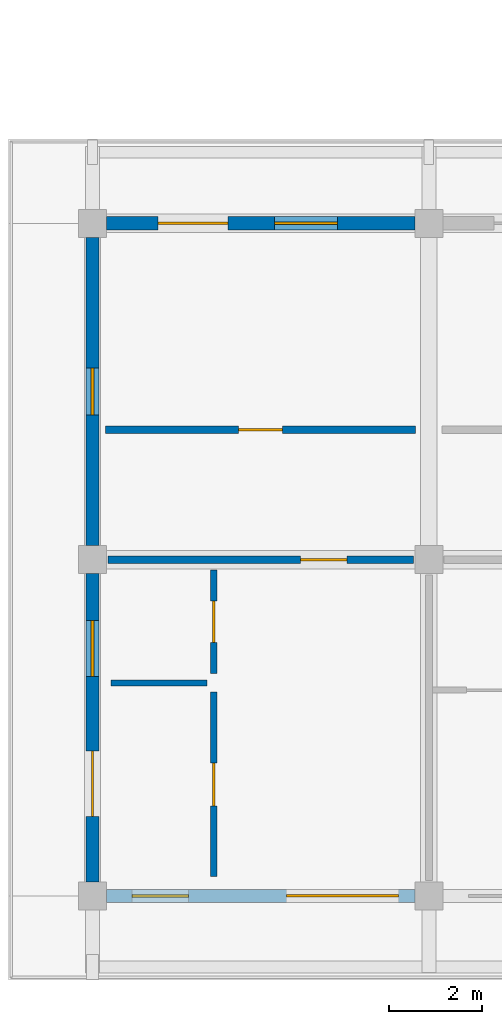
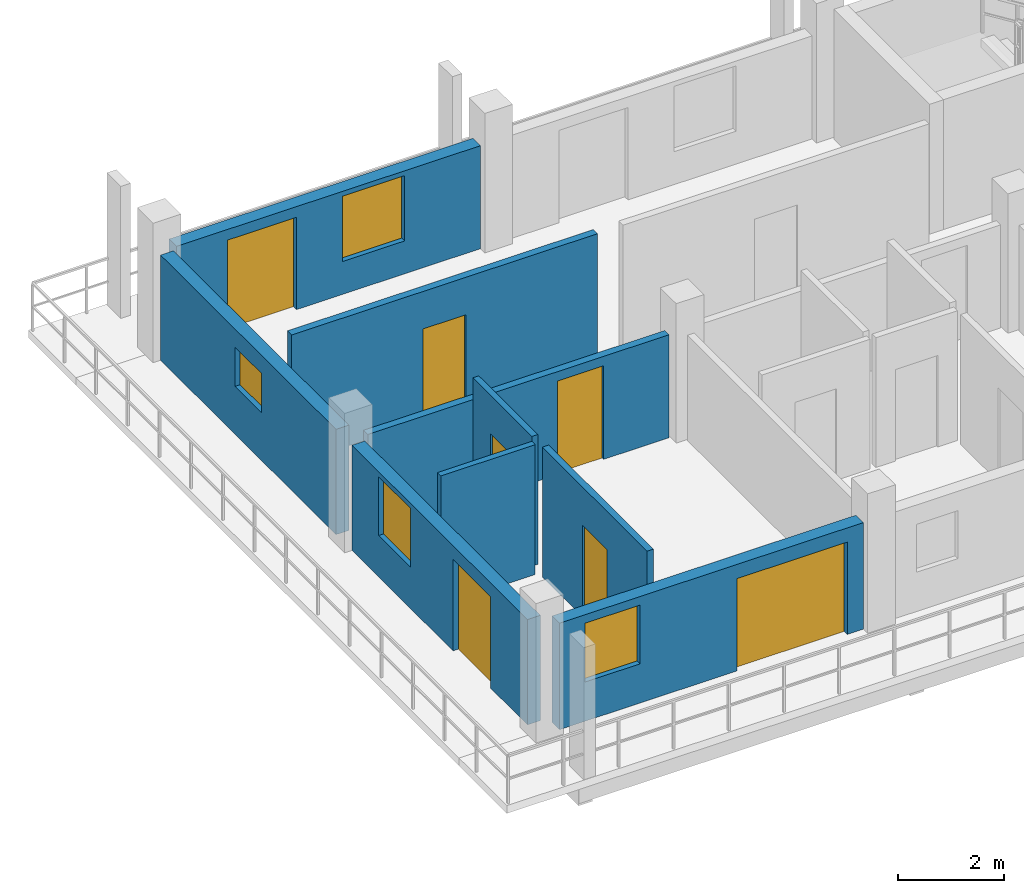
# One storey, part 43 of 76: 9 walls, 7 doors, 4 windows, 11 openings.
"""IFC4 building model written with IfcOpenShell, lengths in metres."""

from ifc_helpers import new_model, si_unit, direction, frame, frame_2d, origin, place, context, subcontext, project, spatial, rectangle, extrude, material, layer, layer_set, type_object, element, fill, save


model = new_model("IFC4")

# Units and contexts
model_context = context("Model", 3, precision=1e-05, world=origin(), true_north=direction((0.0, 1.0)))
body_context = subcontext(model_context, "Body", "Model", "MODEL_VIEW")
ifc_project = project(units=[si_unit("LENGTHUNIT", "METRE"), si_unit("AREAUNIT", "SQUARE_METRE"), si_unit("VOLUMEUNIT", "CUBIC_METRE"), si_unit("PLANEANGLEUNIT", "RADIAN"), si_unit("MASSUNIT", "GRAM", prefix="KILO")], contexts=[model_context])

# Site, building, storey
site_placement = place(None, origin())
site = spatial("IfcSite", under=ifc_project, at=site_placement, CompositionType="ELEMENT")
building_placement = place(site_placement, origin())
building = spatial("IfcBuilding", under=site, at=building_placement, Name="Suanplinth Sawtooth Commons", CompositionType="ELEMENT")
storey_placement = place(building_placement, frame((0.0, 0.0, 12.199951171875)))
storey = spatial("IfcBuildingStorey", under=building, at=storey_placement, Name="L03", CompositionType="ELEMENT", Elevation=12.199951171875)

# Wall, openings, door, window
ifc_material_1 = material(Name="Precast concrete C40/50", Category="concrete")
ifc_layer_1 = layer(ifc_material_1, 0.280029296875, Name="Insulated precast architectural facade wall 280mm")
ifc_layer_set_1 = layer_set([ifc_layer_1], Name="Precast concrete C40/50")
wall_type_1 = type_object("IfcWallType", Name="W-EX01", PredefinedType="ELEMENTEDWALL", material=ifc_layer_set_1)
wall_1_placement = place(storey_placement, frame((122.699951171875, 0.0, 0.0), z_axis=(0.0, 0.0, 1.0), x_axis=(1.0, 0.0, 0.0)))
wall_1 = element("IfcWall", 1, at=wall_1_placement, inside=storey, type_object=wall_type_1, Name="Facade Wall W-L03-C-S-17-0", PredefinedType="ELEMENTEDWALL", context=body_context, shape_type="SweptSolid", body=[
    extrude(rectangle(XDim=6.60009765625, YDim=0.280029296875, at=frame_2d((3.300048828125, 0.0))), origin(), (0.0, 0.0, 1.0), 2.445068359375),
])
opening_1_placement = place(wall_1_placement, frame((3.85009765625, 0.0, 0.0)))
opening_1 = element("IfcOpeningElement", 2, at=opening_1_placement, cuts=wall_1, Name="Opening ED0267", PredefinedType="OPENING", context=body_context, shape_type="SweptSolid", body=[
    extrude(rectangle(XDim=2.39990234375, YDim=2.1201171875, at=frame_2d((1.199951171875, 1.06005859375))), frame((0.0, 0.15478515625, 0.0), z_axis=(0.0, -1.0, 0.0), x_axis=(1.0, 0.0, 0.0)), (0.0, 0.0, 1.0), 0.309814453125),
])
opening_2_placement = place(wall_1_placement, frame((0.550048828125, 0.0, 0.89990234375)))
opening_2 = element("IfcOpeningElement", 3, at=opening_2_placement, cuts=wall_1, Name="Opening W0372", PredefinedType="OPENING", context=body_context, shape_type="SweptSolid", body=[
    extrude(rectangle(XDim=1.199951171875, YDim=1.35009765625, at=frame_2d((0.60009765625, 0.675048828125))), frame((0.0, 0.15478515625, 0.0), z_axis=(0.0, -1.0, 0.0), x_axis=(1.0, 0.0, 0.0)), (0.0, 0.0, 1.0), 0.309814453125),
])
ifc_material_2 = material(Name="Anodized aluminium and low-E glass", Category="aluminium")
door_type_1 = type_object("IfcDoorType", Name="SD-04", OperationType="DOUBLE_DOOR_SLIDING", PredefinedType="DOOR", material=ifc_material_2)
door_1_placement = place(opening_1_placement, frame((2.39990234375, 0.0, 0.0), z_axis=(0.0, 0.0, 1.0), x_axis=(-1.0, 0.0, 0.0)))
door_1 = element("IfcDoor", 4, at=door_1_placement, inside=storey, type_object=door_type_1, Name="Balcony Sliding Door L03-C-17", OperationType="DOUBLE_DOOR_SLIDING", OverallHeight=2.1201171875, OverallWidth=2.39990234375, PredefinedType="DOOR", context=body_context, shape_type="SweptSolid", body=[
    extrude(rectangle(XDim=2.39990234375, YDim=2.1201171875, at=frame_2d((1.199951171875, 1.06005859375))), frame((0.0, 0.02490234375, 0.0), z_axis=(0.0, -1.0, 0.0), x_axis=(1.0, 0.0, 0.0)), (0.0, 0.0, 1.0), 0.050048828125),
])
fill(opening_1, door_1)
ifc_material_3 = material(Name="Thermally broken aluminium and low-E double glazing", Category="aluminium")
window_type_1 = type_object("IfcWindowType", Name="WN-03", PartitioningType="SINGLE_PANEL", PredefinedType="WINDOW", material=ifc_material_3)
window_1_placement = place(opening_2_placement, origin())
window_1 = element("IfcWindow", 5, at=window_1_placement, inside=storey, type_object=window_type_1, Name="Apartment Window L03-C-17", OverallHeight=1.35009765625, OverallWidth=1.199951171875, PartitioningType="SINGLE_PANEL", PredefinedType="WINDOW", context=body_context, shape_type="SweptSolid", body=[
    extrude(rectangle(XDim=1.199951171875, YDim=1.35009765625, at=frame_2d((0.60009765625, 0.675048828125))), frame((0.0, 0.030029296875, 0.0), z_axis=(0.0, -1.0, 0.0), x_axis=(1.0, 0.0, 0.0)), (0.0, 0.0, 1.0), 0.06005859375),
])
fill(opening_2, window_1)

wall_2_placement = place(storey_placement, frame((122.39990234375, 0.300048828125, 0.0), z_axis=(0.0, 0.0, 1.0), x_axis=(0.0, 1.0, 0.0)))
wall_2 = element("IfcWall", 6, at=wall_2_placement, inside=storey, type_object=wall_type_1, Name="Facade Wall W-L03-C-W-17-0", PredefinedType="ELEMENTEDWALL", context=body_context, shape_type="SweptSolid", body=[
    extrude(rectangle(XDim=6.599853515625, YDim=0.280029296875, at=frame_2d((3.2998046875, 0.0))), origin(), (0.0, 0.0, 1.0), 2.4150390625),
])
opening_3_placement = place(wall_2_placement, frame((1.39990234375, 0.0, 0.0)))
opening_3 = element("IfcOpeningElement", 7, at=opening_3_placement, cuts=wall_2, Name="Opening ED0268", PredefinedType="OPENING", context=body_context, shape_type="SweptSolid", body=[
    extrude(rectangle(XDim=1.39990234375, YDim=2.10009765625, at=frame_2d((0.699951171875, 1.050048828125))), frame((0.0, 0.15478515625, 0.0), z_axis=(0.0, -1.0, 0.0), x_axis=(1.0, 0.0, 0.0)), (0.0, 0.0, 1.0), 0.309814453125),
])
opening_4_placement = place(wall_2_placement, frame((4.39990234375, 0.0, 0.949951171875)))
opening_4 = element("IfcOpeningElement", 8, at=opening_4_placement, cuts=wall_2, Name="Opening W0373", PredefinedType="OPENING", context=body_context, shape_type="SweptSolid", body=[
    extrude(rectangle(XDim=1.199951171875, YDim=1.35009765625, at=frame_2d((0.60009765625, 0.675048828125))), frame((0.0, 0.15478515625, 0.0), z_axis=(0.0, -1.0, 0.0), x_axis=(1.0, 0.0, 0.0)), (0.0, 0.0, 1.0), 0.309814453125),
])
door_type_2 = type_object("IfcDoorType", Name="SD-07", OperationType="SLIDING_TO_RIGHT", PredefinedType="DOOR", material=ifc_material_2)
door_2_placement = place(opening_3_placement, frame((1.39990234375, 0.0, 0.0), z_axis=(0.0, 0.0, 1.0), x_axis=(-1.0, 0.0, 0.0)))
door_2 = element("IfcDoor", 9, at=door_2_placement, inside=storey, type_object=door_type_2, Name="End Balcony Sliding Door L03-C-W-17-0", OperationType="SLIDING_TO_RIGHT", OverallHeight=2.10009765625, OverallWidth=1.39990234375, PredefinedType="DOOR", context=body_context, shape_type="SweptSolid", body=[
    extrude(rectangle(XDim=1.39990234375, YDim=2.10009765625, at=frame_2d((0.699951171875, 1.050048828125))), frame((0.0, 0.02490234375, 0.0), z_axis=(0.0, -1.0, 0.0), x_axis=(1.0, 0.0, 0.0)), (0.0, 0.0, 1.0), 0.050048828125),
])
fill(opening_3, door_2)
window_2_placement = place(opening_4_placement, origin())
window_2 = element("IfcWindow", 10, at=window_2_placement, inside=storey, type_object=window_type_1, Name="End Bedroom Window L03-C-17-0", OverallHeight=1.35009765625, OverallWidth=1.199951171875, PartitioningType="SINGLE_PANEL", PredefinedType="WINDOW", context=body_context, shape_type="SweptSolid", body=[
    extrude(rectangle(XDim=1.199951171875, YDim=1.35009765625, at=frame_2d((0.60009765625, 0.675048828125))), frame((0.0, 0.030029296875, 0.0), z_axis=(0.0, -1.0, 0.0), x_axis=(1.0, 0.0, 0.0)), (0.0, 0.0, 1.0), 0.06005859375),
])
fill(opening_4, window_2)

wall_3_placement = place(storey_placement, frame((122.699951171875, 14.39990234375, 0.0), z_axis=(0.0, 0.0, 1.0), x_axis=(1.0, 0.0, 0.0)))
wall_3 = element("IfcWall", 11, at=wall_3_placement, inside=storey, type_object=wall_type_1, Name="Facade Wall W-L03-C-N-17-1", PredefinedType="ELEMENTEDWALL", context=body_context, shape_type="SweptSolid", body=[
    extrude(rectangle(XDim=6.60009765625, YDim=0.280029296875, at=frame_2d((3.300048828125, 0.0))), origin(), (0.0, 0.0, 1.0), 2.364990234375),
])
opening_5_placement = place(wall_3_placement, frame((1.10009765625, 0.0, 0.0)))
opening_5 = element("IfcOpeningElement", 12, at=opening_5_placement, cuts=wall_3, Name="Opening ED0269", PredefinedType="OPENING", context=body_context, shape_type="SweptSolid", body=[
    extrude(rectangle(XDim=1.5, YDim=2.1201171875, at=frame_2d((0.75, 1.06005859375))), frame((0.0, 0.15478515625, 0.0), z_axis=(0.0, -1.0, 0.0), x_axis=(1.0, 0.0, 0.0)), (0.0, 0.0, 1.0), 0.309814453125),
])
opening_6_placement = place(wall_3_placement, frame((3.60009765625, 0.0, 0.7548828125)))
opening_6 = element("IfcOpeningElement", 13, at=opening_6_placement, cuts=wall_3, Name="Opening W0374", PredefinedType="OPENING", context=body_context, shape_type="SweptSolid", body=[
    extrude(rectangle(XDim=1.35009765625, YDim=1.5, at=frame_2d((0.675048828125, 0.75))), frame((0.0, 0.15478515625, 0.0), z_axis=(0.0, -1.0, 0.0), x_axis=(1.0, 0.0, 0.0)), (0.0, 0.0, 1.0), 0.309814453125),
])
door_type_3 = type_object("IfcDoorType", Name="SD-03", OperationType="SLIDING_TO_LEFT", PredefinedType="DOOR", material=ifc_material_2)
door_3_placement = place(opening_5_placement, frame((1.5, 0.0, 0.0), z_axis=(0.0, 0.0, 1.0), x_axis=(-1.0, 0.0, 0.0)))
door_3 = element("IfcDoor", 14, at=door_3_placement, inside=storey, type_object=door_type_3, Name="Courtyard Balcony Door L03-C-17", OperationType="SLIDING_TO_LEFT", OverallHeight=2.1201171875, OverallWidth=1.5, PredefinedType="DOOR", context=body_context, shape_type="SweptSolid", body=[
    extrude(rectangle(XDim=1.5, YDim=2.1201171875, at=frame_2d((0.75, 1.06005859375))), frame((0.0, 0.02490234375, 0.0), z_axis=(0.0, -1.0, 0.0), x_axis=(1.0, 0.0, 0.0)), (0.0, 0.0, 1.0), 0.050048828125),
])
fill(opening_5, door_3)
window_type_2 = type_object("IfcWindowType", Name="WN-14", PartitioningType="SINGLE_PANEL", PredefinedType="WINDOW", material=ifc_material_3)
window_3_placement = place(opening_6_placement, origin())
window_3 = element("IfcWindow", 15, at=window_3_placement, inside=storey, type_object=window_type_2, Name="Courtyard Window L03-C-17", OverallHeight=1.5, OverallWidth=1.35009765625, PartitioningType="SINGLE_PANEL", PredefinedType="WINDOW", context=body_context, shape_type="SweptSolid", body=[
    extrude(rectangle(XDim=1.35009765625, YDim=1.5, at=frame_2d((0.675048828125, 0.75))), frame((0.0, 0.030029296875, 0.0), z_axis=(0.0, -1.0, 0.0), x_axis=(1.0, 0.0, 0.0)), (0.0, 0.0, 1.0), 0.06005859375),
])
fill(opening_6, window_3)

# Wall, opening, window
wall_4_placement = place(storey_placement, frame((122.39990234375, 7.5, 0.0), z_axis=(0.0, 0.0, 1.0), x_axis=(0.0, 1.0, 0.0)))
wall_4 = element("IfcWall", 16, at=wall_4_placement, inside=storey, type_object=wall_type_1, Name="Facade Wall W-L03-C-W-17-1", PredefinedType="ELEMENTEDWALL", context=body_context, shape_type="SweptSolid", body=[
    extrude(rectangle(XDim=6.60009765625, YDim=0.280029296875, at=frame_2d((3.300048828125, 0.0))), origin(), (0.0, 0.0, 1.0), 2.4150390625),
])
opening_7_placement = place(wall_4_placement, frame((2.800048828125, 0.0, 1.10009765625)))
opening_7 = element("IfcOpeningElement", 17, at=opening_7_placement, cuts=wall_4, Name="Opening W0375", PredefinedType="OPENING", context=body_context, shape_type="SweptSolid", body=[
    extrude(rectangle(XDim=1.0, YDim=0.89990234375, at=frame_2d((0.5, 0.449951171875))), frame((0.0, 0.15478515625, 0.0), z_axis=(0.0, -1.0, 0.0), x_axis=(1.0, 0.0, 0.0)), (0.0, 0.0, 1.0), 0.309814453125),
])
window_type_3 = type_object("IfcWindowType", Name="WN-12", PartitioningType="SINGLE_PANEL", PredefinedType="WINDOW", material=ifc_material_3)
window_4_placement = place(opening_7_placement, origin())
window_4 = element("IfcWindow", 18, at=window_4_placement, inside=storey, type_object=window_type_3, Name="End Window L03-C-W-17-1", OverallHeight=0.89990234375, OverallWidth=1.0, PartitioningType="SINGLE_PANEL", PredefinedType="WINDOW", context=body_context, shape_type="SweptSolid", body=[
    extrude(rectangle(XDim=1.0, YDim=0.89990234375, at=frame_2d((0.5, 0.449951171875))), frame((0.0, 0.030029296875, 0.0), z_axis=(0.0, -1.0, 0.0), x_axis=(1.0, 0.0, 0.0)), (0.0, 0.0, 1.0), 0.06005859375),
])
fill(opening_7, window_4)

# Wall, opening, door
ifc_layer_2 = layer(ifc_material_1, 0.159912109375, Name="Fire-rated corridor and lobby wall 160mm")
ifc_layer_set_2 = layer_set([ifc_layer_2], Name="Precast concrete C40/50")
wall_type_2 = type_object("IfcWallType", Name="W-FW01", PredefinedType="PARTITIONING", material=ifc_layer_set_2)
wall_5_placement = place(storey_placement, frame((122.72998046875, 7.199951171875, 0.0), z_axis=(0.0, 0.0, 1.0), x_axis=(1.0, 0.0, 0.0)))
wall_5 = element("IfcWall", 19, at=wall_5_placement, inside=storey, type_object=wall_type_2, Name="W-C-L03-U01-COR", PredefinedType="PARTITIONING", context=body_context, shape_type="SweptSolid", body=[
    extrude(rectangle(XDim=6.5400390625, YDim=0.159912109375, at=frame_2d((3.27001953125, 0.0))), origin(), (0.0, 0.0, 1.0), 2.364990234375),
])
opening_8_placement = place(wall_5_placement, frame((4.1201171875, 0.0, 0.0)))
opening_8 = element("IfcOpeningElement", 20, at=opening_8_placement, cuts=wall_5, Name="Opening FD0961", PredefinedType="OPENING", context=body_context, shape_type="SweptSolid", body=[
    extrude(rectangle(XDim=1.0, YDim=2.14990234375, at=frame_2d((0.5, 1.074951171875))), frame((0.0, 0.0947265625, 0.0), z_axis=(0.0, -1.0, 0.0), x_axis=(1.0, 0.0, 0.0)), (0.0, 0.0, 1.0), 0.189697265625),
])
ifc_material_4 = material(Name="Teak hardwood fire-rated door assembly", Category="wood")
door_type_4 = type_object("IfcDoorType", Name="FD-03", OperationType="NOTDEFINED", PredefinedType="DOOR", material=ifc_material_4)
door_4_placement = place(opening_8_placement, frame((1.0, 0.0, 0.0), z_axis=(0.0, 0.0, 1.0), x_axis=(-1.0, 0.0, 0.0)))
door_4 = element("IfcDoor", 21, at=door_4_placement, inside=storey, type_object=door_type_4, Name="Unit Entrance Door FD0961", OperationType="SINGLE_SWING_LEFT", OverallHeight=2.14990234375, OverallWidth=1.0, PredefinedType="DOOR", context=body_context, shape_type="SweptSolid", body=[
    extrude(rectangle(XDim=1.0, YDim=2.14990234375, at=frame_2d((0.5, 1.074951171875))), frame((0.0, 0.02490234375, 0.0), z_axis=(0.0, -1.0, 0.0), x_axis=(1.0, 0.0, 0.0)), (0.0, 0.0, 1.0), 0.050048828125),
])
fill(opening_8, door_4)

wall_6_placement = place(storey_placement, frame((122.679931640625, 9.97998046875, 0.0), z_axis=(0.0, 0.0, 1.0), x_axis=(1.0, 0.0, 0.0)))
wall_6 = element("IfcWall", 22, at=wall_6_placement, inside=storey, type_object=wall_type_2, Name="W-C-L03-COURTROOM-48-COR", PredefinedType="PARTITIONING", context=body_context, shape_type="SweptSolid", body=[
    extrude(rectangle(XDim=6.64013671875, YDim=0.159912109375, at=frame_2d((3.320068359375, 0.0))), origin(), (0.0, 0.0, 1.0), 2.97998046875),
])
opening_9_placement = place(wall_6_placement, frame((2.85009765625, 0.0, 0.0)))
opening_9 = element("IfcOpeningElement", 23, at=opening_9_placement, cuts=wall_6, Name="Opening D0989", PredefinedType="OPENING", context=body_context, shape_type="SweptSolid", body=[
    extrude(rectangle(XDim=0.93994140625, YDim=2.1201171875, at=frame_2d((0.469970703125, 1.06005859375))), frame((0.0, 0.0947265625, 0.0), z_axis=(0.0, -1.0, 0.0), x_axis=(1.0, 0.0, 0.0)), (0.0, 0.0, 1.0), 0.189697265625),
])
ifc_material_5 = material(Name="Teak hardwood", Category="wood")
door_type_5 = type_object("IfcDoorType", Name="D-15", OperationType="NOTDEFINED", PredefinedType="DOOR", material=ifc_material_5)
door_5_placement = place(opening_9_placement, origin())
door_5 = element("IfcDoor", 24, at=door_5_placement, inside=storey, type_object=door_type_5, Name="Study Studio Door D0989", OperationType="SINGLE_SWING_LEFT", OverallHeight=2.1201171875, OverallWidth=0.93994140625, PredefinedType="DOOR", context=body_context, shape_type="SweptSolid", body=[
    extrude(rectangle(XDim=0.93994140625, YDim=2.1201171875, at=frame_2d((0.469970703125, 1.06005859375))), frame((0.0, 0.02490234375, 0.0), z_axis=(0.0, -1.0, 0.0), x_axis=(1.0, 0.0, 0.0)), (0.0, 0.0, 1.0), 0.050048828125),
])
fill(opening_9, door_5)

ifc_material_6 = material(Name="Gypsum plasterboard on steel stud", Category="steel")
ifc_layer_3 = layer(ifc_material_6, 0.139892578125, Name="Fire-rated kitchen partition 140mm")
ifc_layer_set_3 = layer_set([ifc_layer_3], Name="Gypsum plasterboard on steel stud")
wall_type_3 = type_object("IfcWallType", Name="W-PT01", PredefinedType="PARTITIONING", material=ifc_layer_set_3)
wall_7_placement = place(storey_placement, frame((124.9951171875, 0.419921875, 0.0), z_axis=(0.0, 0.0, 1.0), x_axis=(0.0, 1.0, 0.0)))
wall_7 = element("IfcWall", 25, at=wall_7_placement, inside=storey, type_object=wall_type_3, Name="W-C-L03-U01-KITE", PredefinedType="PARTITIONING", context=body_context, shape_type="SweptSolid", body=[
    extrude(rectangle(XDim=3.940185546875, YDim=0.139892578125, at=frame_2d((1.97021484375, 0.0))), origin(), (0.0, 0.0, 1.0), 2.97998046875),
])
opening_10_placement = place(wall_7_placement, frame((1.510009765625, 0.0, 0.0)))
opening_10 = element("IfcOpeningElement", 26, at=opening_10_placement, cuts=wall_7, Name="Opening D0963", PredefinedType="OPENING", context=body_context, shape_type="SweptSolid", body=[
    extrude(rectangle(XDim=0.919921875, YDim=2.10009765625, at=frame_2d((0.4599609375, 1.050048828125))), frame((0.0, 0.0849609375, 0.0), z_axis=(0.0, -1.0, 0.0), x_axis=(1.0, 0.0, 0.0)), (0.0, 0.0, 1.0), 0.169677734375),
])
door_type_6 = type_object("IfcDoorType", Name="D-02", OperationType="NOTDEFINED", PredefinedType="DOOR", material=ifc_material_5)
door_6_placement = place(opening_10_placement, origin())
door_6 = element("IfcDoor", 27, at=door_6_placement, inside=storey, type_object=door_type_6, Name="Kitchen Door D0963", OperationType="SINGLE_SWING_LEFT", OverallHeight=2.10009765625, OverallWidth=0.919921875, PredefinedType="DOOR", context=body_context, shape_type="SweptSolid", body=[
    extrude(rectangle(XDim=0.919921875, YDim=2.10009765625, at=frame_2d((0.4599609375, 1.050048828125))), frame((0.0, 0.02490234375, 0.0), z_axis=(0.0, -1.0, 0.0), x_axis=(1.0, 0.0, 0.0)), (0.0, 0.0, 1.0), 0.050048828125),
])
fill(opening_10, door_6)

# Wall
ifc_layer_4 = layer(ifc_material_6, 0.1298828125, Name="Moisture-resistant bathroom partition 130mm")
ifc_layer_set_4 = layer_set([ifc_layer_4], Name="Gypsum plasterboard on steel stud")
wall_type_4 = type_object("IfcWallType", Name="W-PT02", PredefinedType="PARTITIONING", material=ifc_layer_set_4)
wall_8_placement = place(storey_placement, frame((122.800048828125, 4.56005859375, 0.0), z_axis=(0.0, 0.0, 1.0), x_axis=(1.0, 0.0, 0.0)))
element("IfcWall", 28, at=wall_8_placement, inside=storey, type_object=wall_type_4, Name="W-C-L03-U01-STDIV", PredefinedType="PARTITIONING", context=body_context, shape_type="SweptSolid", body=[
    extrude(rectangle(XDim=2.050048828125, YDim=0.1298828125, at=frame_2d((1.02490234375, 0.0))), origin(), (0.0, 0.0, 1.0), 2.97998046875),
])

# Wall, opening, door
wall_9_placement = place(storey_placement, frame((124.9951171875, 4.760009765625, 0.0), z_axis=(0.0, 0.0, 1.0), x_axis=(0.0, 1.0, 0.0)))
wall_9 = element("IfcWall", 29, at=wall_9_placement, inside=storey, type_object=wall_type_4, Name="W-C-L03-U01-BTHE", PredefinedType="PARTITIONING", context=body_context, shape_type="SweptSolid", body=[
    extrude(rectangle(XDim=2.219970703125, YDim=0.1298828125, at=frame_2d((1.10986328125, 0.0))), origin(), (0.0, 0.0, 1.0), 2.97998046875),
])
opening_11_placement = place(wall_9_placement, frame((0.669921875, 0.0, 0.0)))
opening_11 = element("IfcOpeningElement", 30, at=opening_11_placement, cuts=wall_9, Name="Opening D0962", PredefinedType="OPENING", context=body_context, shape_type="SweptSolid", body=[
    extrude(rectangle(XDim=0.8798828125, YDim=2.10009765625, at=frame_2d((0.43994140625, 1.050048828125))), frame((0.0, 0.079833984375, 0.0), z_axis=(0.0, -1.0, 0.0), x_axis=(1.0, 0.0, 0.0)), (0.0, 0.0, 1.0), 0.15966796875),
])
door_type_7 = type_object("IfcDoorType", Name="D-14", OperationType="NOTDEFINED", PredefinedType="DOOR", material=ifc_material_5)
door_7_placement = place(opening_11_placement, origin())
door_7 = element("IfcDoor", 31, at=door_7_placement, inside=storey, type_object=door_type_7, Name="Bathroom Door D0962", OperationType="SINGLE_SWING_RIGHT", OverallHeight=2.10009765625, OverallWidth=0.8798828125, PredefinedType="DOOR", context=body_context, shape_type="SweptSolid", body=[
    extrude(rectangle(XDim=0.8798828125, YDim=2.10009765625, at=frame_2d((0.43994140625, 1.050048828125))), frame((0.0, 0.02490234375, 0.0), z_axis=(0.0, -1.0, 0.0), x_axis=(1.0, 0.0, 0.0)), (0.0, 0.0, 1.0), 0.050048828125),
])
fill(opening_11, door_7)

save(model, "model.ifc")
